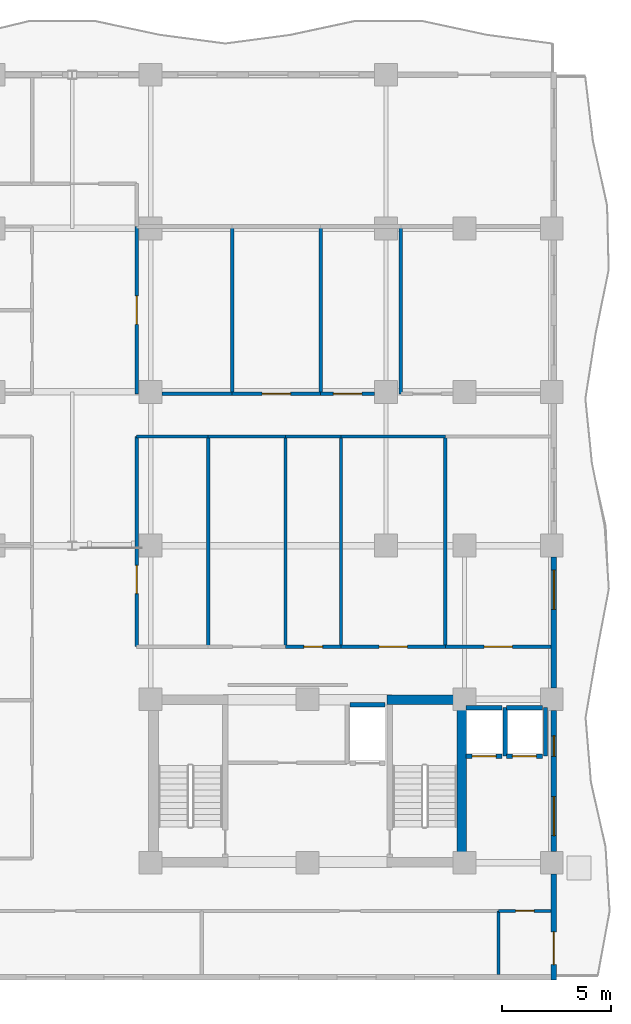
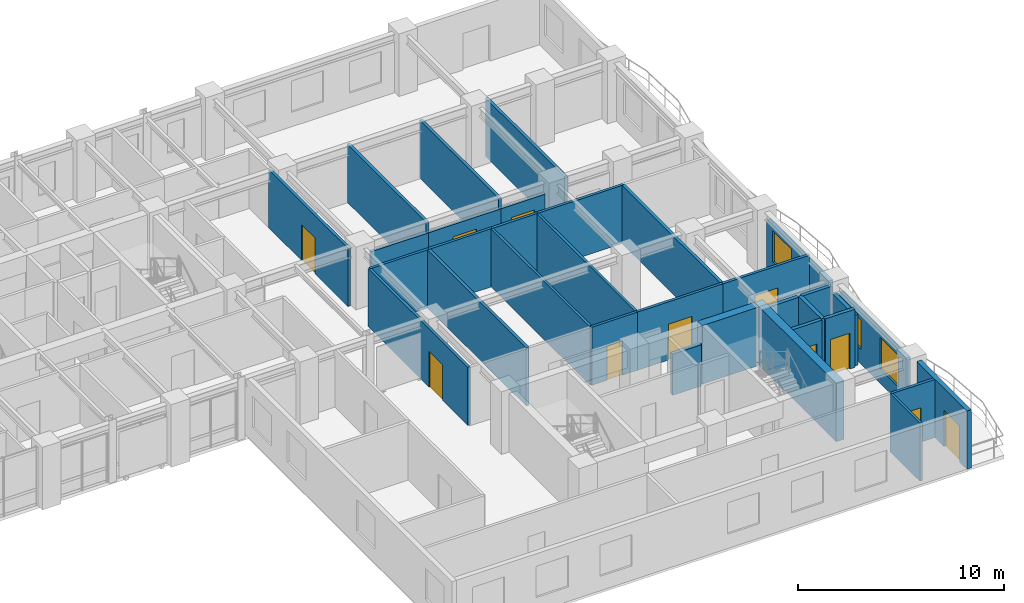
# One storey, part 11 of 17: 33 walls, 11 doors, 3 windows, 14 openings.
"""IFC4 building model written with IfcOpenShell, lengths in metres."""

from ifc_helpers import new_model, si_unit, direction, frame, frame_2d, origin, place, context, subcontext, project, spatial, rectangle, extrude, material, layer, layer_set, type_object, element, fill, save


model = new_model("IFC4")

# Units and contexts
model_context = context("Model", 3, precision=1e-05, world=origin(), true_north=direction((0.0, 1.0)))
body_context = subcontext(model_context, "Body", "Model", "MODEL_VIEW")
ifc_project = project(units=[si_unit("LENGTHUNIT", "METRE"), si_unit("AREAUNIT", "SQUARE_METRE"), si_unit("VOLUMEUNIT", "CUBIC_METRE"), si_unit("PLANEANGLEUNIT", "RADIAN"), si_unit("MASSUNIT", "GRAM", prefix="KILO")], contexts=[model_context])

# Site, building, storey
site_placement = place(None, origin())
site = spatial("IfcSite", under=ifc_project, at=site_placement, CompositionType="ELEMENT")
building_placement = place(site_placement, origin())
building = spatial("IfcBuilding", under=site, at=building_placement, Name="Kaliganga Portal Commons", CompositionType="ELEMENT")
storey_placement = place(building_placement, frame((0.0, 0.0, 143.89990234375)))
storey = spatial("IfcBuildingStorey", under=building, at=storey_placement, Name="L36", CompositionType="ELEMENT", Elevation=143.89990234375)

# Walls
ifc_material_1 = material(Name="Concrete C60/75", Category="concrete")
ifc_layer_1 = layer(ifc_material_1, 0.449951171875)
ifc_layer_set_1 = layer_set([ifc_layer_1], Name="Concrete C60/75")
wall_type_1 = type_object("IfcWallType", Name="WL-CORE-450", PredefinedType="SHEAR", material=ifc_layer_set_1)
wall_1_placement = place(storey_placement, frame((50.27490234375, 6.85009765625, 0.0), z_axis=(0.0, 0.0, 1.0), x_axis=(0.0, 1.0, 0.0)))
element("IfcWall", 1, at=wall_1_placement, inside=storey, type_object=wall_type_1, Name="Core B East Shear Wall L36", PredefinedType="SHEAR", context=body_context, shape_type="SweptSolid", body=[
    extrude(rectangle(XDim=7.89990234375, YDim=0.449951171875, at=frame_2d((3.949951171875, 0.0))), origin(), (0.0, 0.0, 1.0), 3.460205078125),
])
wall_2_placement = place(storey_placement, frame((46.85009765625, 14.52490234375, 0.0), z_axis=(0.0, 0.0, 1.0), x_axis=(1.0, 0.0, 0.0)))
element("IfcWall", 2, at=wall_2_placement, inside=storey, type_object=wall_type_1, Name="Core B N-East Shear Wall L36", PredefinedType="SHEAR", context=body_context, shape_type="SweptSolid", body=[
    extrude(rectangle(XDim=3.199951171875, YDim=0.449951171875, at=frame_2d((1.60009765625, 0.0))), origin(), (0.0, 0.0, 1.0), 3.460205078125),
])

# Wall, opening, door
ifc_material_2 = material(Name="Insulated Aluminium-Clad Spandrel Assembly", Category="aluminium")
ifc_layer_2 = layer(ifc_material_2, 0.260009765625)
ifc_layer_set_2 = layer_set([ifc_layer_2], Name="Insulated Aluminium-Clad Spandrel Assembly")
wall_type_2 = type_object("IfcWallType", Name="WL-EXT-SPAND-260", PredefinedType="STANDARD", material=ifc_layer_set_2)
wall_3_placement = place(storey_placement, frame((54.5, 6.52392578125, 0.0), z_axis=(0.0, 0.0, 1.0), x_axis=(0.0, -1.0, 0.0)))
wall_3 = element("IfcWall", 3, at=wall_3_placement, inside=storey, type_object=wall_type_2, Name="Exterior Envelope Wall L36 P1-E01-S1", PredefinedType="STANDARD", context=body_context, shape_type="SweptSolid", body=[
    extrude(rectangle(XDim=4.85400390625, YDim=0.260009765625, at=frame_2d((2.427001953125, 0.0))), origin(), (0.0, 0.0, 1.0), 3.440185546875),
])
opening_1_placement = place(wall_3_placement, frame((2.64794921875, 0.0, 0.0)))
opening_1 = element("IfcOpeningElement", 4, at=opening_1_placement, cuts=wall_3, Name="Opening BD-01", PredefinedType="OPENING", context=body_context, shape_type="SweptSolid", body=[
    extrude(rectangle(XDim=1.5, YDim=2.14990234375, at=frame_2d((0.75, 1.074951171875))), frame((0.0, 0.14013671875, 0.0), z_axis=(0.0, -1.0, 0.0), x_axis=(1.0, 0.0, 0.0)), (0.0, 0.0, 1.0), 0.280029296875),
])
ifc_material_3 = material(Name="Anodized Aluminium and Laminated Safety Glass", Category="aluminium")
door_type_1 = type_object("IfcDoorType", Name="DR-BALC-1500", OperationType="SLIDING_TO_LEFT", PredefinedType="DOOR", material=ifc_material_3)
door_1_placement = place(opening_1_placement, origin())
door_1 = element("IfcDoor", 5, at=door_1_placement, inside=storey, type_object=door_type_1, Name="Balcony Sliding Door L36 balc_east", OperationType="SLIDING_TO_LEFT", OverallHeight=2.14990234375, OverallWidth=1.5, PredefinedType="DOOR", context=body_context, shape_type="SweptSolid", body=[
    extrude(rectangle(XDim=1.5, YDim=2.14990234375, at=frame_2d((0.75, 1.074951171875))), frame((0.0, 0.02490234375, 0.0), z_axis=(0.0, -1.0, 0.0), x_axis=(1.0, 0.0, 0.0)), (0.0, 0.0, 1.0), 0.050048828125),
])
fill(opening_1, door_1)

# Wall, openings, windows
wall_4_placement = place(storey_placement, frame((54.5, 14.02392578125, 0.0), z_axis=(0.0, 0.0, 1.0), x_axis=(0.0, -1.0, 0.0)))
wall_4 = element("IfcWall", 6, at=wall_4_placement, inside=storey, type_object=wall_type_2, Name="Exterior Envelope Wall L36 P1-E01-S2", PredefinedType="STANDARD", context=body_context, shape_type="SweptSolid", body=[
    extrude(rectangle(XDim=6.447998046875, YDim=0.260009765625, at=frame_2d((3.22412109375, 0.0))), origin(), (0.0, 0.0, 1.0), 2.989990234375),
])
opening_2_placement = place(wall_4_placement, frame((3.93603515625, 0.0, 0.85009765625)))
opening_2 = element("IfcOpeningElement", 7, at=opening_2_placement, cuts=wall_4, Name="Opening W-01", PredefinedType="OPENING", context=body_context, shape_type="SweptSolid", body=[
    extrude(rectangle(XDim=1.800048828125, YDim=1.85009765625, at=frame_2d((0.89990234375, 0.925048828125))), frame((0.0, 0.14013671875, 0.0), z_axis=(0.0, -1.0, 0.0), x_axis=(1.0, 0.0, 0.0)), (0.0, 0.0, 1.0), 0.280029296875),
])
opening_3_placement = place(wall_4_placement, frame((1.14990234375, 0.0, 0.85009765625)))
opening_3 = element("IfcOpeningElement", 8, at=opening_3_placement, cuts=wall_4, Name="Opening W-04", PredefinedType="OPENING", context=body_context, shape_type="SweptSolid", body=[
    extrude(rectangle(XDim=0.949951171875, YDim=1.75, at=frame_2d((0.47509765625, 0.875))), frame((0.0, 0.14013671875, 0.0), z_axis=(0.0, -1.0, 0.0), x_axis=(1.0, 0.0, 0.0)), (0.0, 0.0, 1.0), 0.280029296875),
])
ifc_material_4 = material(Name="Thermally Broken Aluminium and Low-E Double Glazing", Category="aluminium")
window_type_1 = type_object("IfcWindowType", Name="WIN-NARROW-950", PartitioningType="SINGLE_PANEL", PredefinedType="WINDOW", material=ifc_material_4)
window_1_placement = place(opening_3_placement, origin())
window_1 = element("IfcWindow", 9, at=window_1_placement, inside=storey, type_object=window_type_1, Name="Facade Window L36-P1E01S2-N1", OverallHeight=1.75, OverallWidth=0.949951171875, PartitioningType="SINGLE_PANEL", PredefinedType="WINDOW", context=body_context, shape_type="SweptSolid", body=[
    extrude(rectangle(XDim=0.949951171875, YDim=1.75, at=frame_2d((0.47509765625, 0.875))), frame((0.0, 0.030029296875, 0.0), z_axis=(0.0, -1.0, 0.0), x_axis=(1.0, 0.0, 0.0)), (0.0, 0.0, 1.0), 0.06005859375),
])
fill(opening_3, window_1)
window_type_2 = type_object("IfcWindowType", Name="WIN-STD-1800", PartitioningType="DOUBLE_PANEL_VERTICAL", PredefinedType="WINDOW", material=ifc_material_4)
window_2_placement = place(opening_2_placement, origin())
window_2 = element("IfcWindow", 10, at=window_2_placement, inside=storey, type_object=window_type_2, Name="Facade Window L36-P1E01S2-01", OverallHeight=1.85009765625, OverallWidth=1.800048828125, PartitioningType="SINGLE_PANEL", PredefinedType="WINDOW", context=body_context, shape_type="SweptSolid", body=[
    extrude(rectangle(XDim=1.800048828125, YDim=1.85009765625, at=frame_2d((0.89990234375, 0.925048828125))), frame((0.0, 0.030029296875, 0.0), z_axis=(0.0, -1.0, 0.0), x_axis=(1.0, 0.0, 0.0)), (0.0, 0.0, 1.0), 0.06005859375),
])
fill(opening_2, window_2)

# Wall, opening, window
wall_5_placement = place(storey_placement, frame((54.5, 21.073974609375, 0.0), z_axis=(0.0, 0.0, 1.0), x_axis=(0.0, -1.0, 0.0)))
wall_5 = element("IfcWall", 11, at=wall_5_placement, inside=storey, type_object=wall_type_2, Name="Exterior Envelope Wall L36 P1-E01-S3", PredefinedType="STANDARD", context=body_context, shape_type="SweptSolid", body=[
    extrude(rectangle(XDim=5.998046875, YDim=0.260009765625, at=frame_2d((2.9990234375, 0.0))), origin(), (0.0, 0.0, 1.0), 2.989990234375),
])
opening_4_placement = place(wall_5_placement, frame((0.599609375, 0.0, 0.85009765625)))
opening_4 = element("IfcOpeningElement", 12, at=opening_4_placement, cuts=wall_5, Name="Opening W-01", PredefinedType="OPENING", context=body_context, shape_type="SweptSolid", body=[
    extrude(rectangle(XDim=1.800048828125, YDim=1.85009765625, at=frame_2d((0.89990234375, 0.925048828125))), frame((0.0, 0.14013671875, 0.0), z_axis=(0.0, -1.0, 0.0), x_axis=(1.0, 0.0, 0.0)), (0.0, 0.0, 1.0), 0.280029296875),
])
window_3_placement = place(opening_4_placement, origin())
window_3 = element("IfcWindow", 13, at=window_3_placement, inside=storey, type_object=window_type_2, Name="Facade Window L36-P1E01S3-00", OverallHeight=1.85009765625, OverallWidth=1.800048828125, PartitioningType="SINGLE_PANEL", PredefinedType="WINDOW", context=body_context, shape_type="SweptSolid", body=[
    extrude(rectangle(XDim=1.800048828125, YDim=1.85009765625, at=frame_2d((0.89990234375, 0.925048828125))), frame((0.0, 0.030029296875, 0.0), z_axis=(0.0, -1.0, 0.0), x_axis=(1.0, 0.0, 0.0)), (0.0, 0.0, 1.0), 0.06005859375),
])
fill(opening_4, window_3)

# Wall, opening, door
ifc_material_5 = material(Name="Fire-Rated Gypsum Board on Steel Stud", Category="steel")
ifc_layer_3 = layer(ifc_material_5, 0.14990234375)
ifc_layer_set_3 = layer_set([ifc_layer_3], Name="Fire-Rated Gypsum Board on Steel Stud")
wall_type_3 = type_object("IfcWallType", Name="WL-PART-CORR-150", PredefinedType="PARTITIONING", material=ifc_layer_set_3)
wall_6_placement = place(storey_placement, frame((35.360107421875, 16.9599609375, 0.0), z_axis=(0.0, 0.0, 1.0), x_axis=(0.0, 1.0, 0.0)))
wall_6 = element("IfcWall", 14, at=wall_6_placement, inside=storey, type_object=wall_type_3, Name="Interior Partition L36-010", PredefinedType="PARTITIONING", context=body_context, shape_type="SweptSolid", body=[
    extrude(rectangle(XDim=9.64013671875, YDim=0.14990234375, at=frame_2d((4.820068359375, 0.0))), origin(), (0.0, 0.0, 1.0), 3.440185546875),
])
opening_5_placement = place(wall_6_placement, frame((2.434814453125, 0.0, 0.0)))
opening_5 = element("IfcOpeningElement", 15, at=opening_5_placement, cuts=wall_6, Name="Opening RD-03", PredefinedType="OPENING", context=body_context, shape_type="SweptSolid", body=[
    extrude(rectangle(XDim=1.300048828125, YDim=2.1201171875, at=frame_2d((0.64990234375, 1.06005859375))), frame((0.0, 0.0849609375, 0.0), z_axis=(0.0, -1.0, 0.0), x_axis=(1.0, 0.0, 0.0)), (0.0, 0.0, 1.0), 0.169921875),
])
ifc_material_6 = material(Name="Glazed Timber Seminar Vision Door", Category="wood")
door_type_2 = type_object("IfcDoorType", Name="DR-STUDY-1300", OperationType="DOUBLE_DOOR_SINGLE_SWING", PredefinedType="DOOR", material=ifc_material_6)
door_2_placement = place(opening_5_placement, origin())
door_2 = element("IfcDoor", 16, at=door_2_placement, inside=storey, type_object=door_type_2, Name="Interior Door L36-BM01", OperationType="DOUBLE_DOOR_SINGLE_SWING", OverallHeight=2.1201171875, OverallWidth=1.300048828125, PredefinedType="DOOR", context=body_context, shape_type="SweptSolid", body=[
    extrude(rectangle(XDim=1.300048828125, YDim=2.1201171875, at=frame_2d((0.64990234375, 1.06005859375))), frame((0.0, 0.02490234375, 0.0), z_axis=(0.0, -1.0, 0.0), x_axis=(1.0, 0.0, 0.0)), (0.0, 0.0, 1.0), 0.050048828125),
])
fill(opening_5, door_2)

wall_7_placement = place(storey_placement, frame((35.360107421875, 28.56005859375, 0.0), z_axis=(0.0, 0.0, 1.0), x_axis=(0.0, 1.0, 0.0)))
wall_7 = element("IfcWall", 17, at=wall_7_placement, inside=storey, type_object=wall_type_3, Name="Interior Partition L36-016", PredefinedType="PARTITIONING", context=body_context, shape_type="SweptSolid", body=[
    extrude(rectangle(XDim=7.679931640625, YDim=0.14990234375, at=frame_2d((3.83984375, 0.0))), origin(), (0.0, 0.0, 1.0), 3.440185546875),
])
opening_6_placement = place(wall_7_placement, frame((3.18994140625, 0.0, 0.0)))
opening_6 = element("IfcOpeningElement", 18, at=opening_6_placement, cuts=wall_7, Name="Opening RD-03", PredefinedType="OPENING", context=body_context, shape_type="SweptSolid", body=[
    extrude(rectangle(XDim=1.300048828125, YDim=2.1201171875, at=frame_2d((0.64990234375, 1.06005859375))), frame((0.0, 0.0849609375, 0.0), z_axis=(0.0, -1.0, 0.0), x_axis=(1.0, 0.0, 0.0)), (0.0, 0.0, 1.0), 0.169921875),
])
door_3_placement = place(opening_6_placement, origin())
door_3 = element("IfcDoor", 19, at=door_3_placement, inside=storey, type_object=door_type_2, Name="Interior Door L36-BK01", OperationType="DOUBLE_DOOR_SINGLE_SWING", OverallHeight=2.1201171875, OverallWidth=1.300048828125, PredefinedType="DOOR", context=body_context, shape_type="SweptSolid", body=[
    extrude(rectangle(XDim=1.300048828125, YDim=2.1201171875, at=frame_2d((0.64990234375, 1.06005859375))), frame((0.0, 0.02490234375, 0.0), z_axis=(0.0, -1.0, 0.0), x_axis=(1.0, 0.0, 0.0)), (0.0, 0.0, 1.0), 0.050048828125),
])
fill(opening_6, door_3)

wall_8_placement = place(storey_placement, frame((49.52001953125, 16.9599609375, 0.0), z_axis=(0.0, 0.0, 1.0), x_axis=(1.0, 0.0, 0.0)))
wall_8 = element("IfcWall", 20, at=wall_8_placement, inside=storey, type_object=wall_type_3, Name="Interior Partition L36-028", PredefinedType="PARTITIONING", context=body_context, shape_type="SweptSolid", body=[
    extrude(rectangle(XDim=4.847900390625, YDim=0.14990234375, at=frame_2d((2.423828125, 0.0))), origin(), (0.0, 0.0, 1.0), 3.440185546875),
])
opening_7_placement = place(wall_8_placement, frame((1.77392578125, 0.0, 0.0)))
opening_7 = element("IfcOpeningElement", 21, at=opening_7_placement, cuts=wall_8, Name="Opening RD-03", PredefinedType="OPENING", context=body_context, shape_type="SweptSolid", body=[
    extrude(rectangle(XDim=1.300048828125, YDim=2.1201171875, at=frame_2d((0.64990234375, 1.06005859375))), frame((0.0, 0.0849609375, 0.0), z_axis=(0.0, -1.0, 0.0), x_axis=(1.0, 0.0, 0.0)), (0.0, 0.0, 1.0), 0.169921875),
])
door_4_placement = place(opening_7_placement, origin())
door_4 = element("IfcDoor", 22, at=door_4_placement, inside=storey, type_object=door_type_2, Name="Interior Door L36-BM05", OperationType="DOUBLE_DOOR_SINGLE_SWING", OverallHeight=2.1201171875, OverallWidth=1.300048828125, PredefinedType="DOOR", context=body_context, shape_type="SweptSolid", body=[
    extrude(rectangle(XDim=1.300048828125, YDim=2.1201171875, at=frame_2d((0.64990234375, 1.06005859375))), frame((0.0, 0.02490234375, 0.0), z_axis=(0.0, -1.0, 0.0), x_axis=(1.0, 0.0, 0.0)), (0.0, 0.0, 1.0), 0.050048828125),
])
fill(opening_7, door_4)

wall_9_placement = place(storey_placement, frame((44.739990234375, 16.9599609375, 0.0), z_axis=(0.0, 0.0, 1.0), x_axis=(1.0, 0.0, 0.0)))
wall_9 = element("IfcWall", 23, at=wall_9_placement, inside=storey, type_object=wall_type_3, Name="Interior Partition L36-032", PredefinedType="PARTITIONING", context=body_context, shape_type="SweptSolid", body=[
    extrude(rectangle(XDim=4.780029296875, YDim=0.14990234375, at=frame_2d((2.39013671875, 0.0))), origin(), (0.0, 0.0, 1.0), 3.440185546875),
])
opening_8_placement = place(wall_9_placement, frame((1.739990234375, 0.0, 0.0)))
opening_8 = element("IfcOpeningElement", 24, at=opening_8_placement, cuts=wall_9, Name="Opening RD-03", PredefinedType="OPENING", context=body_context, shape_type="SweptSolid", body=[
    extrude(rectangle(XDim=1.300048828125, YDim=2.1201171875, at=frame_2d((0.64990234375, 1.06005859375))), frame((0.0, 0.0849609375, 0.0), z_axis=(0.0, -1.0, 0.0), x_axis=(1.0, 0.0, 0.0)), (0.0, 0.0, 1.0), 0.169921875),
])
door_5_placement = place(opening_8_placement, origin())
door_5 = element("IfcDoor", 25, at=door_5_placement, inside=storey, type_object=door_type_2, Name="Interior Door L36-BM04", OperationType="DOUBLE_DOOR_SINGLE_SWING", OverallHeight=2.1201171875, OverallWidth=1.300048828125, PredefinedType="DOOR", context=body_context, shape_type="SweptSolid", body=[
    extrude(rectangle(XDim=1.300048828125, YDim=2.1201171875, at=frame_2d((0.64990234375, 1.06005859375))), frame((0.0, 0.02490234375, 0.0), z_axis=(0.0, -1.0, 0.0), x_axis=(1.0, 0.0, 0.0)), (0.0, 0.0, 1.0), 0.050048828125),
])
fill(opening_8, door_5)

# Walls
wall_10_placement = place(storey_placement, frame((44.739990234375, 26.60009765625, 0.0), z_axis=(0.0, 0.0, 1.0), x_axis=(1.0, 0.0, 0.0)))
element("IfcWall", 26, at=wall_10_placement, inside=storey, type_object=wall_type_3, Name="Interior Partition L36-033", PredefinedType="PARTITIONING", context=body_context, shape_type="SweptSolid", body=[
    extrude(rectangle(XDim=4.780029296875, YDim=0.14990234375, at=frame_2d((2.39013671875, 0.0))), origin(), (0.0, 0.0, 1.0), 3.440185546875),
])
wall_11_placement = place(storey_placement, frame((36.52490234375, 28.56005859375, 0.0), z_axis=(0.0, 0.0, 1.0), x_axis=(1.0, 0.0, 0.0)))
element("IfcWall", 27, at=wall_11_placement, inside=storey, type_object=wall_type_3, Name="Interior Partition L36-034", PredefinedType="PARTITIONING", context=body_context, shape_type="SweptSolid", body=[
    extrude(rectangle(XDim=3.215087890625, YDim=0.14990234375, at=frame_2d((1.607421875, 0.0))), origin(), (0.0, 0.0, 1.0), 2.840087890625),
])

# Wall, opening, door
wall_12_placement = place(storey_placement, frame((39.739990234375, 28.56005859375, 0.0), z_axis=(0.0, 0.0, 1.0), x_axis=(1.0, 0.0, 0.0)))
wall_12 = element("IfcWall", 28, at=wall_12_placement, inside=storey, type_object=wall_type_3, Name="Interior Partition L36-036", PredefinedType="PARTITIONING", context=body_context, shape_type="SweptSolid", body=[
    extrude(rectangle(XDim=4.06005859375, YDim=0.14990234375, at=frame_2d((2.030029296875, 0.0))), origin(), (0.0, 0.0, 1.0), 2.840087890625),
])
opening_9_placement = place(wall_12_placement, frame((1.3798828125, 0.0, 0.0)))
opening_9 = element("IfcOpeningElement", 29, at=opening_9_placement, cuts=wall_12, Name="Opening RD-03", PredefinedType="OPENING", context=body_context, shape_type="SweptSolid", body=[
    extrude(rectangle(XDim=1.300048828125, YDim=2.1201171875, at=frame_2d((0.64990234375, 1.06005859375))), frame((0.0, 0.0849609375, 0.0), z_axis=(0.0, -1.0, 0.0), x_axis=(1.0, 0.0, 0.0)), (0.0, 0.0, 1.0), 0.169921875),
])
door_6_placement = place(opening_9_placement, origin())
door_6 = element("IfcDoor", 30, at=door_6_placement, inside=storey, type_object=door_type_2, Name="Interior Door L36-BK02", OperationType="DOUBLE_DOOR_SINGLE_SWING", OverallHeight=2.1201171875, OverallWidth=1.300048828125, PredefinedType="DOOR", context=body_context, shape_type="SweptSolid", body=[
    extrude(rectangle(XDim=1.300048828125, YDim=2.1201171875, at=frame_2d((0.64990234375, 1.06005859375))), frame((0.0, 0.02490234375, 0.0), z_axis=(0.0, -1.0, 0.0), x_axis=(1.0, 0.0, 0.0)), (0.0, 0.0, 1.0), 0.050048828125),
])
fill(opening_9, door_6)

wall_13_placement = place(storey_placement, frame((43.800048828125, 28.56005859375, 0.0), z_axis=(0.0, 0.0, 1.0), x_axis=(1.0, 0.0, 0.0)))
wall_13 = element("IfcWall", 31, at=wall_13_placement, inside=storey, type_object=wall_type_3, Name="Interior Partition L36-043", PredefinedType="PARTITIONING", context=body_context, shape_type="SweptSolid", body=[
    extrude(rectangle(XDim=2.474853515625, YDim=0.14990234375, at=frame_2d((1.2373046875, 0.0))), origin(), (0.0, 0.0, 1.0), 2.840087890625),
])
opening_10_placement = place(wall_13_placement, frame((0.58740234375, 0.0, 0.0)))
opening_10 = element("IfcOpeningElement", 32, at=opening_10_placement, cuts=wall_13, Name="Opening RD-03", PredefinedType="OPENING", context=body_context, shape_type="SweptSolid", body=[
    extrude(rectangle(XDim=1.300048828125, YDim=2.1201171875, at=frame_2d((0.64990234375, 1.06005859375))), frame((0.0, 0.0849609375, 0.0), z_axis=(0.0, -1.0, 0.0), x_axis=(1.0, 0.0, 0.0)), (0.0, 0.0, 1.0), 0.169921875),
])
door_7_placement = place(opening_10_placement, origin())
door_7 = element("IfcDoor", 33, at=door_7_placement, inside=storey, type_object=door_type_2, Name="Interior Door L36-BK03", OperationType="DOUBLE_DOOR_SINGLE_SWING", OverallHeight=2.1201171875, OverallWidth=1.300048828125, PredefinedType="DOOR", context=body_context, shape_type="SweptSolid", body=[
    extrude(rectangle(XDim=1.300048828125, YDim=2.1201171875, at=frame_2d((0.64990234375, 1.06005859375))), frame((0.0, 0.02490234375, 0.0), z_axis=(0.0, -1.0, 0.0), x_axis=(1.0, 0.0, 0.0)), (0.0, 0.0, 1.0), 0.050048828125),
])
fill(opening_10, door_7)

# Walls
wall_14_placement = place(storey_placement, frame((38.639892578125, 26.60009765625, 0.0), z_axis=(0.0, 0.0, 1.0), x_axis=(1.0, 0.0, 0.0)))
element("IfcWall", 34, at=wall_14_placement, inside=storey, type_object=wall_type_3, Name="Interior Partition L36-046", PredefinedType="PARTITIONING", context=body_context, shape_type="SweptSolid", body=[
    extrude(rectangle(XDim=3.5400390625, YDim=0.14990234375, at=frame_2d((1.77001953125, 0.0))), origin(), (0.0, 0.0, 1.0), 3.440185546875),
])
wall_15_placement = place(storey_placement, frame((35.360107421875, 26.60009765625, 0.0), z_axis=(0.0, 0.0, 1.0), x_axis=(1.0, 0.0, 0.0)))
element("IfcWall", 35, at=wall_15_placement, inside=storey, type_object=wall_type_3, Name="Interior Partition L36-048", PredefinedType="PARTITIONING", context=body_context, shape_type="SweptSolid", body=[
    extrude(rectangle(XDim=3.27978515625, YDim=0.14990234375, at=frame_2d((1.639892578125, 0.0))), origin(), (0.0, 0.0, 1.0), 3.440185546875),
])

# Wall, opening, door
wall_16_placement = place(storey_placement, frame((42.179931640625, 16.9599609375, 0.0), z_axis=(0.0, 0.0, 1.0), x_axis=(1.0, 0.0, 0.0)))
wall_16 = element("IfcWall", 36, at=wall_16_placement, inside=storey, type_object=wall_type_3, Name="Interior Partition L36-050", PredefinedType="PARTITIONING", context=body_context, shape_type="SweptSolid", body=[
    extrude(rectangle(XDim=2.56005859375, YDim=0.14990234375, at=frame_2d((1.280029296875, 0.0))), origin(), (0.0, 0.0, 1.0), 3.440185546875),
])
opening_11_placement = place(wall_16_placement, frame((0.85498046875, 0.0, 0.0)))
opening_11 = element("IfcOpeningElement", 37, at=opening_11_placement, cuts=wall_16, Name="Opening WD-01", PredefinedType="OPENING", context=body_context, shape_type="SweptSolid", body=[
    extrude(rectangle(XDim=0.85009765625, YDim=2.0400390625, at=frame_2d((0.425048828125, 1.02001953125))), frame((0.0, 0.0849609375, 0.0), z_axis=(0.0, -1.0, 0.0), x_axis=(1.0, 0.0, 0.0)), (0.0, 0.0, 1.0), 0.169921875),
])
ifc_material_7 = material(Name="Moisture-Resistant Laminate Timber Door", Category="wood")
door_type_3 = type_object("IfcDoorType", Name="DR-WET-850", OperationType="NOTDEFINED", PredefinedType="DOOR", material=ifc_material_7)
door_8_placement = place(opening_11_placement, origin())
door_8 = element("IfcDoor", 38, at=door_8_placement, inside=storey, type_object=door_type_3, Name="Interior Door L36-BM03", OperationType="SINGLE_SWING_RIGHT", OverallHeight=2.0400390625, OverallWidth=0.85009765625, PredefinedType="DOOR", context=body_context, shape_type="SweptSolid", body=[
    extrude(rectangle(XDim=0.85009765625, YDim=2.0400390625, at=frame_2d((0.425048828125, 1.02001953125))), frame((0.0, 0.02490234375, 0.0), z_axis=(0.0, -1.0, 0.0), x_axis=(1.0, 0.0, 0.0)), (0.0, 0.0, 1.0), 0.050048828125),
])
fill(opening_11, door_8)

# Wall
wall_17_placement = place(storey_placement, frame((42.179931640625, 26.60009765625, 0.0), z_axis=(0.0, 0.0, 1.0), x_axis=(1.0, 0.0, 0.0)))
element("IfcWall", 39, at=wall_17_placement, inside=storey, type_object=wall_type_3, Name="Interior Partition L36-051", PredefinedType="PARTITIONING", context=body_context, shape_type="SweptSolid", body=[
    extrude(rectangle(XDim=2.56005859375, YDim=0.14990234375, at=frame_2d((1.280029296875, 0.0))), origin(), (0.0, 0.0, 1.0), 3.440185546875),
])

# Wall, opening, door
wall_18_placement = place(storey_placement, frame((51.9599609375, 4.840087890625, 0.0), z_axis=(0.0, 0.0, 1.0), x_axis=(1.0, 0.0, 0.0)))
wall_18 = element("IfcWall", 40, at=wall_18_placement, inside=storey, type_object=wall_type_3, Name="Interior Partition L36-053", PredefinedType="PARTITIONING", context=body_context, shape_type="SweptSolid", body=[
    extrude(rectangle(XDim=2.407958984375, YDim=0.14990234375, at=frame_2d((1.2041015625, 0.0))), origin(), (0.0, 0.0, 1.0), 3.440185546875),
])
opening_12_placement = place(wall_18_placement, frame((0.779052734375, 0.0, 0.0)))
opening_12 = element("IfcOpeningElement", 41, at=opening_12_placement, cuts=wall_18, Name="Opening WD-01", PredefinedType="OPENING", context=body_context, shape_type="SweptSolid", body=[
    extrude(rectangle(XDim=0.85009765625, YDim=2.0400390625, at=frame_2d((0.425048828125, 1.02001953125))), frame((0.0, 0.0849609375, 0.0), z_axis=(0.0, -1.0, 0.0), x_axis=(1.0, 0.0, 0.0)), (0.0, 0.0, 1.0), 0.169921875),
])
door_9_placement = place(opening_12_placement, origin())
door_9 = element("IfcDoor", 42, at=door_9_placement, inside=storey, type_object=door_type_3, Name="Interior Door L36-BS03", OperationType="SINGLE_SWING_RIGHT", OverallHeight=2.0400390625, OverallWidth=0.85009765625, PredefinedType="DOOR", context=body_context, shape_type="SweptSolid", body=[
    extrude(rectangle(XDim=0.85009765625, YDim=2.0400390625, at=frame_2d((0.425048828125, 1.02001953125))), frame((0.0, 0.02490234375, 0.0), z_axis=(0.0, -1.0, 0.0), x_axis=(1.0, 0.0, 0.0)), (0.0, 0.0, 1.0), 0.050048828125),
])
fill(opening_12, door_9)

# Walls
ifc_material_8 = material(Name="Twin-Stud Acoustic Gypsum Partition", Category="gypsum")
ifc_layer_4 = layer(ifc_material_8, 0.1650390625)
ifc_layer_set_4 = layer_set([ifc_layer_4], Name="Twin-Stud Acoustic Gypsum Partition")
wall_type_4 = type_object("IfcWallType", Name="WL-PART-UNIT-165", PredefinedType="PARTITIONING", material=ifc_layer_set_4)
for number, where, z_axis, x_axis, name in (
    (43, (38.639892578125, 16.9599609375, 0.0), (0.0, 0.0, 1.0), (0.0, 1.0, 0.0), "Interior Partition L36-061"),
    (44, (49.52001953125, 16.9599609375, 0.0), (0.0, 0.0, 1.0), (0.0, 1.0, 0.0), "Interior Partition L36-064"),
):
    element("IfcWall", number, at=place(storey_placement, frame(where, z_axis=z_axis, x_axis=x_axis)), inside=storey, type_object=wall_type_4, Name=name, PredefinedType="PARTITIONING", context=body_context, shape_type="SweptSolid", body=[
        extrude(rectangle(XDim=9.64013671875, YDim=0.1650390625, at=frame_2d((4.820068359375, 0.0))), origin(), (0.0, 0.0, 1.0), 3.440185546875),
    ])
for number, where, z_axis, x_axis, name in (
    (45, (39.739990234375, 28.56005859375, 0.0), (0.0, 0.0, 1.0), (0.0, 1.0, 0.0), "Interior Partition L36-066"),
    (46, (43.800048828125, 28.56005859375, 0.0), (0.0, 0.0, 1.0), (0.0, 1.0, 0.0), "Interior Partition L36-067"),
    (47, (47.47998046875, 28.56005859375, 0.0), (0.0, 0.0, 1.0), (0.0, 1.0, 0.0), "Interior Partition L36-068"),
):
    element("IfcWall", number, at=place(storey_placement, frame(where, z_axis=z_axis, x_axis=x_axis)), inside=storey, type_object=wall_type_4, Name=name, PredefinedType="PARTITIONING", context=body_context, shape_type="SweptSolid", body=[
        extrude(rectangle(XDim=7.679931640625, YDim=0.1650390625, at=frame_2d((3.83984375, 0.0))), origin(), (0.0, 0.0, 1.0), 3.440185546875),
    ])
ifc_material_9 = material(Name="Cement-Board Wet-Room Partition", Category="gypsum")
ifc_layer_5 = layer(ifc_material_9, 0.135009765625)
ifc_layer_set_5 = layer_set([ifc_layer_5], Name="Cement-Board Wet-Room Partition")
wall_type_5 = type_object("IfcWallType", Name="WL-PART-WET-135", PredefinedType="PARTITIONING", material=ifc_layer_set_5)
for number, where, z_axis, x_axis, name in (
    (48, (42.179931640625, 16.9599609375, 0.0), (0.0, 0.0, 1.0), (0.0, 1.0, 0.0), "Interior Partition L36-062"),
    (49, (44.739990234375, 16.9599609375, 0.0), (0.0, 0.0, 1.0), (0.0, 1.0, 0.0), "Interior Partition L36-063"),
):
    element("IfcWall", number, at=place(storey_placement, frame(where, z_axis=z_axis, x_axis=x_axis)), inside=storey, type_object=wall_type_5, Name=name, PredefinedType="PARTITIONING", context=body_context, shape_type="SweptSolid", body=[
        extrude(rectangle(XDim=9.64013671875, YDim=0.135009765625, at=frame_2d((4.820068359375, 0.0))), origin(), (0.0, 0.0, 1.0), 3.440185546875),
    ])
wall_19_placement = place(storey_placement, frame((51.9599609375, 1.931884765625, 0.0), z_axis=(0.0, 0.0, 1.0), x_axis=(0.0, 1.0, 0.0)))
element("IfcWall", 50, at=wall_19_placement, inside=storey, type_object=wall_type_5, Name="Interior Partition L36-087", PredefinedType="PARTITIONING", context=body_context, shape_type="SweptSolid", body=[
    extrude(rectangle(XDim=2.908203125, YDim=0.135009765625, at=frame_2d((1.4541015625, 0.0))), origin(), (0.0, 0.0, 1.0), 3.440185546875),
])

# Wall, opening, door
ifc_material_10 = material(Name="Fire-Rated Shaftwall Masonry Assembly", Category="masonry")
ifc_layer_6 = layer(ifc_material_10, 0.199951171875)
ifc_layer_set_6 = layer_set([ifc_layer_6], Name="Fire-Rated Shaftwall Masonry Assembly")
wall_type_6 = type_object("IfcWallType", Name="WL-SHAFT-200", PredefinedType="PARTITIONING", material=ifc_layer_set_6)
wall_20_placement = place(storey_placement, frame((50.47509765625, 11.93505859375, 0.0), z_axis=(0.0, 0.0, 1.0), x_axis=(1.0, 0.0, 0.0)))
wall_20 = element("IfcWall", 51, at=wall_20_placement, inside=storey, type_object=wall_type_6, Name="Lift PL-B3 Hoistway Shaft Wall L36-S", PredefinedType="PARTITIONING", context=body_context, shape_type="SweptSolid", body=[
    extrude(rectangle(XDim=1.64990234375, YDim=0.199951171875, at=frame_2d((0.824951171875, 0.0))), origin(), (0.0, 0.0, 1.0), 3.440185546875),
])
opening_13_placement = place(wall_20_placement, frame((0.27490234375, 0.0, 0.0)))
opening_13 = element("IfcOpeningElement", 52, at=opening_13_placement, cuts=wall_20, Name="Opening LD-01", PredefinedType="OPENING", context=body_context, shape_type="SweptSolid", body=[
    extrude(rectangle(XDim=1.10009765625, YDim=2.1201171875, at=frame_2d((0.550048828125, 1.06005859375))), frame((0.0, 0.10986328125, 0.0), z_axis=(0.0, -1.0, 0.0), x_axis=(1.0, 0.0, 0.0)), (0.0, 0.0, 1.0), 0.219970703125),
])
ifc_material_11 = material(Name="Brushed Stainless Steel 316 Lift Landing Door", Category="steel")
door_type_4 = type_object("IfcDoorType", Name="DR-LIFT-1100", OperationType="SLIDING_TO_LEFT", PredefinedType="DOOR", material=ifc_material_11)
door_10_placement = place(opening_13_placement, origin())
door_10 = element("IfcDoor", 53, at=door_10_placement, inside=storey, type_object=door_type_4, Name="Lift PL-B3 Sliding Landing Door L36", OperationType="SLIDING_TO_LEFT", OverallHeight=2.1201171875, OverallWidth=1.10009765625, PredefinedType="DOOR", context=body_context, shape_type="SweptSolid", body=[
    extrude(rectangle(XDim=1.10009765625, YDim=2.1201171875, at=frame_2d((0.550048828125, 1.06005859375))), frame((0.0, 0.02490234375, 0.0), z_axis=(0.0, -1.0, 0.0), x_axis=(1.0, 0.0, 0.0)), (0.0, 0.0, 1.0), 0.050048828125),
])
fill(opening_13, door_10)

# Walls
wall_21_placement = place(storey_placement, frame((50.47509765625, 14.1650390625, 0.0), z_axis=(0.0, 0.0, 1.0), x_axis=(1.0, 0.0, 0.0)))
element("IfcWall", 54, at=wall_21_placement, inside=storey, type_object=wall_type_6, Name="Lift PL-B3 Hoistway Shaft Wall L36-N", PredefinedType="PARTITIONING", context=body_context, shape_type="SweptSolid", body=[
    extrude(rectangle(XDim=1.64990234375, YDim=0.199951171875, at=frame_2d((0.824951171875, 0.0))), origin(), (0.0, 0.0, 1.0), 3.440185546875),
])
wall_22_placement = place(storey_placement, frame((52.264892578125, 11.93505859375, 0.0), z_axis=(0.0, 0.0, 1.0), x_axis=(0.0, 1.0, 0.0)))
element("IfcWall", 55, at=wall_22_placement, inside=storey, type_object=wall_type_6, Name="Lift PL-B3 Hoistway Shaft Wall L36-E", PredefinedType="PARTITIONING", context=body_context, shape_type="SweptSolid", body=[
    extrude(rectangle(XDim=2.22998046875, YDim=0.199951171875, at=frame_2d((1.114990234375, 0.0))), origin(), (0.0, 0.0, 1.0), 3.440185546875),
])

# Wall, opening, door
wall_23_placement = place(storey_placement, frame((52.324951171875, 11.93505859375, 0.0), z_axis=(0.0, 0.0, 1.0), x_axis=(1.0, 0.0, 0.0)))
wall_23 = element("IfcWall", 56, at=wall_23_placement, inside=storey, type_object=wall_type_6, Name="Lift PL-B4 Hoistway Shaft Wall L36-S", PredefinedType="PARTITIONING", context=body_context, shape_type="SweptSolid", body=[
    extrude(rectangle(XDim=1.650146484375, YDim=0.199951171875, at=frame_2d((0.8251953125, 0.0))), origin(), (0.0, 0.0, 1.0), 3.440185546875),
])
opening_14_placement = place(wall_23_placement, frame((0.27490234375, 0.0, 0.0)))
opening_14 = element("IfcOpeningElement", 57, at=opening_14_placement, cuts=wall_23, Name="Opening LD-01", PredefinedType="OPENING", context=body_context, shape_type="SweptSolid", body=[
    extrude(rectangle(XDim=1.10009765625, YDim=2.1201171875, at=frame_2d((0.550048828125, 1.06005859375))), frame((0.0, 0.10986328125, 0.0), z_axis=(0.0, -1.0, 0.0), x_axis=(1.0, 0.0, 0.0)), (0.0, 0.0, 1.0), 0.219970703125),
])
door_11_placement = place(opening_14_placement, origin())
door_11 = element("IfcDoor", 58, at=door_11_placement, inside=storey, type_object=door_type_4, Name="Lift PL-B4 Sliding Landing Door L36", OperationType="SLIDING_TO_LEFT", OverallHeight=2.1201171875, OverallWidth=1.10009765625, PredefinedType="DOOR", context=body_context, shape_type="SweptSolid", body=[
    extrude(rectangle(XDim=1.10009765625, YDim=2.1201171875, at=frame_2d((0.550048828125, 1.06005859375))), frame((0.0, 0.02490234375, 0.0), z_axis=(0.0, -1.0, 0.0), x_axis=(1.0, 0.0, 0.0)), (0.0, 0.0, 1.0), 0.050048828125),
])
fill(opening_14, door_11)

# Walls
wall_24_placement = place(storey_placement, frame((52.324951171875, 14.1650390625, 0.0), z_axis=(0.0, 0.0, 1.0), x_axis=(1.0, 0.0, 0.0)))
element("IfcWall", 59, at=wall_24_placement, inside=storey, type_object=wall_type_6, Name="Lift PL-B4 Hoistway Shaft Wall L36-N", PredefinedType="PARTITIONING", context=body_context, shape_type="SweptSolid", body=[
    extrude(rectangle(XDim=1.650146484375, YDim=0.199951171875, at=frame_2d((0.8251953125, 0.0))), origin(), (0.0, 0.0, 1.0), 3.440185546875),
])
wall_25_placement = place(storey_placement, frame((54.114990234375, 11.93505859375, 0.0), z_axis=(0.0, 0.0, 1.0), x_axis=(0.0, 1.0, 0.0)))
element("IfcWall", 60, at=wall_25_placement, inside=storey, type_object=wall_type_6, Name="Lift PL-B4 Hoistway Shaft Wall L36-E", PredefinedType="PARTITIONING", context=body_context, shape_type="SweptSolid", body=[
    extrude(rectangle(XDim=2.22998046875, YDim=0.199951171875, at=frame_2d((1.114990234375, 0.0))), origin(), (0.0, 0.0, 1.0), 2.989990234375),
])
wall_26_placement = place(storey_placement, frame((45.14990234375, 14.2900390625, 0.0), z_axis=(0.0, 0.0, 1.0), x_axis=(1.0, 0.0, 0.0)))
element("IfcWall", 61, at=wall_26_placement, inside=storey, type_object=wall_type_6, Name="Lift SL-B1 Hoistway Shaft Wall L36-N", PredefinedType="PARTITIONING", context=body_context, shape_type="SweptSolid", body=[
    extrude(rectangle(XDim=1.60009765625, YDim=0.199951171875, at=frame_2d((0.800048828125, 0.0))), origin(), (0.0, 0.0, 1.0), 2.440185546875),
])

save(model, "model.ifc")
